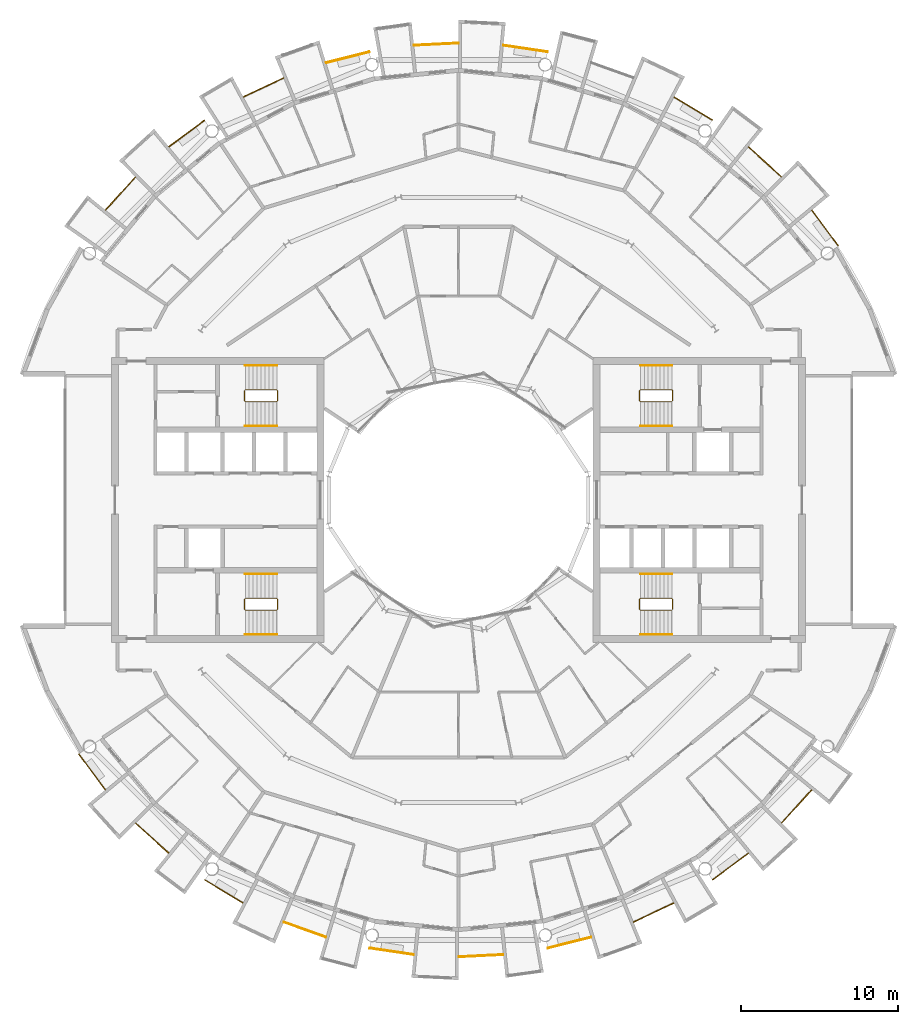
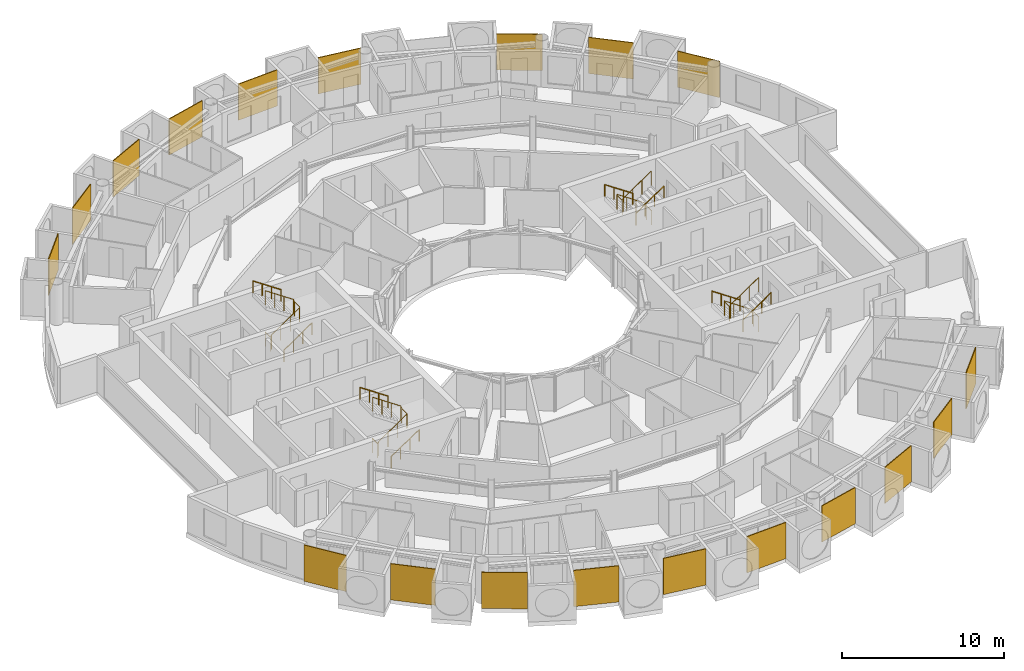
# One storey, part 27 of 28: 31 railings.
"""IFC4 building model written with IfcOpenShell, lengths in metres."""

from ifc_helpers import new_model, si_unit, direction, frame, origin, origin_2d, place, context, subcontext, project, spatial, polyline, circle, outline, extrude, material, layer, layer_set, type_object, element, save


model = new_model("IFC4")

# Units and contexts
model_context = context("Model", 3, precision=1e-05, world=origin(), true_north=direction((0.0, 1.0)))
body_context = subcontext(model_context, "Body", "Model", "MODEL_VIEW")
ifc_project = project(units=[si_unit("LENGTHUNIT", "METRE"), si_unit("AREAUNIT", "SQUARE_METRE"), si_unit("VOLUMEUNIT", "CUBIC_METRE"), si_unit("PLANEANGLEUNIT", "RADIAN"), si_unit("MASSUNIT", "GRAM", prefix="KILO")], contexts=[model_context])

# Site, building, storey
site_placement = place(None, origin())
site = spatial("IfcSite", under=ifc_project, at=site_placement, CompositionType="ELEMENT")
building_placement = place(site_placement, origin())
building = spatial("IfcBuilding", under=site, at=building_placement, Name="Maasbend Ring Residences", CompositionType="ELEMENT")
storey_placement = place(building_placement, frame((0.0, 0.0, 196.300048828125)))
storey = spatial("IfcBuildingStorey", under=building, at=storey_placement, Name="L56", CompositionType="ELEMENT", Elevation=196.300048828125)

# Railings
ifc_material_1 = material(Name="Pale anodised perforated aluminium", Category="aluminium")
ifc_layer = layer(ifc_material_1, 0.06005859375)
ifc_layer_set = layer_set([ifc_layer], Name="SCREEN-P")
railing_type_1 = type_object("IfcRailingType", Name="SCREEN-P", PredefinedType="GUARDRAIL", material=ifc_layer_set)
railing_1_placement = place(storey_placement, frame((0.0, 0.0, -0.030029296875)))
element("IfcRailing", 1, at=railing_1_placement, inside=storey, type_object=railing_type_1, Name="Perforated screen guard 1", PredefinedType="GUARDRAIL", context=body_context, shape_type="SweptSolid", body=[
    extrude(outline(polyline([(24.113037109375, 16.112060546875), (22.4169921875, 18.39697265625), (22.465087890625, 18.43310546875), (24.160888671875, 16.14697265625), (24.113037109375, 16.112060546875)])), origin(), (0.0, 0.0, 1.0), 2.72998046875),
])
railing_2_placement = place(storey_placement, frame((0.0, 0.0, -0.030029296875)))
element("IfcRailing", 2, at=railing_2_placement, inside=storey, type_object=railing_type_1, Name="Perforated screen guard 2", PredefinedType="GUARDRAIL", context=body_context, shape_type="SweptSolid", body=[
    extrude(outline(polyline([(20.506103515625, 20.506103515625), (18.39697265625, 22.4169921875), (18.43798828125, 22.4619140625), (20.5458984375, 20.551025390625), (20.506103515625, 20.506103515625)])), origin(), (0.0, 0.0, 1.0), 2.72998046875),
])
railing_3_placement = place(storey_placement, frame((0.0, 0.0, -0.030029296875)))
element("IfcRailing", 3, at=railing_3_placement, inside=storey, type_object=railing_type_1, Name="Perforated screen guard 3", PredefinedType="GUARDRAIL", context=body_context, shape_type="SweptSolid", body=[
    extrude(outline(polyline([(16.112060546875, 24.113037109375), (13.6708984375, 25.575927734375), (13.700927734375, 25.626953125), (16.14208984375, 24.1640625), (16.112060546875, 24.113037109375)])), origin(), (0.0, 0.0, 1.0), 2.72998046875),
])
railing_4_placement = place(storey_placement, frame((0.0, 0.0, -0.030029296875)))
element("IfcRailing", 4, at=railing_4_placement, inside=storey, type_object=railing_type_1, Name="Perforated screen guard 5", PredefinedType="GUARDRAIL", context=body_context, shape_type="SweptSolid", body=[
    extrude(outline(polyline([(5.657958984375, 28.443115234375), (2.842041015625, 28.860107421875), (2.85107421875, 28.919921875), (5.666015625, 28.501953125), (5.657958984375, 28.443115234375)])), origin(), (0.0, 0.0, 1.0), 2.72998046875),
])
railing_5_placement = place(storey_placement, frame((0.0, 0.0, -0.030029296875)))
element("IfcRailing", 5, at=railing_5_placement, inside=storey, type_object=railing_type_1, Name="Perforated screen guard 6", PredefinedType="GUARDRAIL", context=body_context, shape_type="SweptSolid", body=[
    extrude(outline(polyline([(0.0, 29.0), (-2.842041015625, 28.860107421875), (-2.844970703125, 28.919921875), (-0.0029296875, 29.06005859375), (0.0, 29.0)])), origin(), (0.0, 0.0, 1.0), 2.72998046875),
])
railing_6_placement = place(storey_placement, frame((0.0, 0.0, -0.030029296875)))
element("IfcRailing", 6, at=railing_6_placement, inside=storey, type_object=railing_type_1, Name="Perforated screen guard 7", PredefinedType="GUARDRAIL", context=body_context, shape_type="SweptSolid", body=[
    extrude(outline(polyline([(-5.657958984375, 28.443115234375), (-8.41796875, 27.7509765625), (-8.43310546875, 27.80908203125), (-5.672119140625, 28.5009765625), (-5.657958984375, 28.443115234375)])), origin(), (0.0, 0.0, 1.0), 2.72998046875),
])
railing_7_placement = place(storey_placement, frame((0.0, 0.0, -0.030029296875)))
element("IfcRailing", 7, at=railing_7_placement, inside=storey, type_object=railing_type_1, Name="Perforated screen guard 8", PredefinedType="GUARDRAIL", context=body_context, shape_type="SweptSolid", body=[
    extrude(outline(polyline([(-11.097900390625, 26.79296875), (-13.6708984375, 25.575927734375), (-13.696044921875, 25.6298828125), (-11.123046875, 26.846923828125), (-11.097900390625, 26.79296875)])), origin(), (0.0, 0.0, 1.0), 2.72998046875),
])
railing_8_placement = place(storey_placement, frame((0.0, 0.0, -0.030029296875)))
element("IfcRailing", 8, at=railing_8_placement, inside=storey, type_object=railing_type_1, Name="Perforated screen guard 9", PredefinedType="GUARDRAIL", context=body_context, shape_type="SweptSolid", body=[
    extrude(outline(polyline([(-16.112060546875, 24.113037109375), (-18.39697265625, 22.4169921875), (-18.43310546875, 22.465087890625), (-16.14697265625, 24.160888671875), (-16.112060546875, 24.113037109375)])), origin(), (0.0, 0.0, 1.0), 2.72998046875),
])
railing_9_placement = place(storey_placement, frame((0.0, 0.0, -0.030029296875)))
element("IfcRailing", 9, at=railing_9_placement, inside=storey, type_object=railing_type_1, Name="Perforated screen guard 10", PredefinedType="GUARDRAIL", context=body_context, shape_type="SweptSolid", body=[
    extrude(outline(polyline([(-20.506103515625, 20.506103515625), (-22.4169921875, 18.39697265625), (-22.4619140625, 18.43798828125), (-20.551025390625, 20.5458984375), (-20.506103515625, 20.506103515625)])), origin(), (0.0, 0.0, 1.0), 2.72998046875),
])
railing_10_placement = place(storey_placement, frame((0.0, 0.0, -0.030029296875)))
element("IfcRailing", 10, at=railing_10_placement, inside=storey, type_object=railing_type_1, Name="Perforated screen guard 1", PredefinedType="GUARDRAIL", context=body_context, shape_type="SweptSolid", body=[
    extrude(outline(polyline([(-24.113037109375, -16.112060546875), (-22.4169921875, -18.39697265625), (-22.465087890625, -18.43310546875), (-24.160888671875, -16.14697265625), (-24.113037109375, -16.112060546875)])), origin(), (0.0, 0.0, 1.0), 2.72998046875),
])
railing_11_placement = place(storey_placement, frame((0.0, 0.0, -0.030029296875)))
element("IfcRailing", 11, at=railing_11_placement, inside=storey, type_object=railing_type_1, Name="Perforated screen guard 2", PredefinedType="GUARDRAIL", context=body_context, shape_type="SweptSolid", body=[
    extrude(outline(polyline([(-20.506103515625, -20.506103515625), (-18.39697265625, -22.4169921875), (-18.43798828125, -22.4619140625), (-20.5458984375, -20.551025390625), (-20.506103515625, -20.506103515625)])), origin(), (0.0, 0.0, 1.0), 2.72998046875),
])
railing_12_placement = place(storey_placement, frame((0.0, 0.0, -0.030029296875)))
element("IfcRailing", 12, at=railing_12_placement, inside=storey, type_object=railing_type_1, Name="Perforated screen guard 3", PredefinedType="GUARDRAIL", context=body_context, shape_type="SweptSolid", body=[
    extrude(outline(polyline([(-16.112060546875, -24.113037109375), (-13.6708984375, -25.575927734375), (-13.700927734375, -25.626953125), (-16.14208984375, -24.1640625), (-16.112060546875, -24.113037109375)])), origin(), (0.0, 0.0, 1.0), 2.72998046875),
])
railing_13_placement = place(storey_placement, frame((0.0, 0.0, -0.030029296875)))
element("IfcRailing", 13, at=railing_13_placement, inside=storey, type_object=railing_type_1, Name="Perforated screen guard 4", PredefinedType="GUARDRAIL", context=body_context, shape_type="SweptSolid", body=[
    extrude(outline(polyline([(-11.097900390625, -26.79296875), (-8.41796875, -27.7509765625), (-8.43798828125, -27.80810546875), (-11.117919921875, -26.84912109375), (-11.097900390625, -26.79296875)])), origin(), (0.0, 0.0, 1.0), 2.72998046875),
])
railing_14_placement = place(storey_placement, frame((0.0, 0.0, -0.030029296875)))
element("IfcRailing", 14, at=railing_14_placement, inside=storey, type_object=railing_type_1, Name="Perforated screen guard 5", PredefinedType="GUARDRAIL", context=body_context, shape_type="SweptSolid", body=[
    extrude(outline(polyline([(-5.657958984375, -28.443115234375), (-2.842041015625, -28.860107421875), (-2.85107421875, -28.919921875), (-5.666015625, -28.501953125), (-5.657958984375, -28.443115234375)])), origin(), (0.0, 0.0, 1.0), 2.72998046875),
])
railing_15_placement = place(storey_placement, frame((0.0, 0.0, -0.030029296875)))
element("IfcRailing", 15, at=railing_15_placement, inside=storey, type_object=railing_type_1, Name="Perforated screen guard 6", PredefinedType="GUARDRAIL", context=body_context, shape_type="SweptSolid", body=[
    extrude(outline(polyline([(0.0, -29.0), (2.842041015625, -28.860107421875), (2.844970703125, -28.919921875), (0.0029296875, -29.06005859375), (0.0, -29.0)])), origin(), (0.0, 0.0, 1.0), 2.72998046875),
])
railing_16_placement = place(storey_placement, frame((0.0, 0.0, -0.030029296875)))
element("IfcRailing", 16, at=railing_16_placement, inside=storey, type_object=railing_type_1, Name="Perforated screen guard 7", PredefinedType="GUARDRAIL", context=body_context, shape_type="SweptSolid", body=[
    extrude(outline(polyline([(5.657958984375, -28.443115234375), (8.41796875, -27.7509765625), (8.43310546875, -27.80908203125), (5.672119140625, -28.5009765625), (5.657958984375, -28.443115234375)])), origin(), (0.0, 0.0, 1.0), 2.72998046875),
])
railing_17_placement = place(storey_placement, frame((0.0, 0.0, -0.030029296875)))
element("IfcRailing", 17, at=railing_17_placement, inside=storey, type_object=railing_type_1, Name="Perforated screen guard 8", PredefinedType="GUARDRAIL", context=body_context, shape_type="SweptSolid", body=[
    extrude(outline(polyline([(11.097900390625, -26.79296875), (13.6708984375, -25.575927734375), (13.696044921875, -25.6298828125), (11.123046875, -26.846923828125), (11.097900390625, -26.79296875)])), origin(), (0.0, 0.0, 1.0), 2.72998046875),
])
railing_18_placement = place(storey_placement, frame((0.0, 0.0, -0.030029296875)))
element("IfcRailing", 18, at=railing_18_placement, inside=storey, type_object=railing_type_1, Name="Perforated screen guard 9", PredefinedType="GUARDRAIL", context=body_context, shape_type="SweptSolid", body=[
    extrude(outline(polyline([(16.112060546875, -24.113037109375), (18.39697265625, -22.4169921875), (18.43310546875, -22.465087890625), (16.14697265625, -24.160888671875), (16.112060546875, -24.113037109375)])), origin(), (0.0, 0.0, 1.0), 2.72998046875),
])
railing_19_placement = place(storey_placement, frame((0.0, 0.0, -0.030029296875)))
element("IfcRailing", 19, at=railing_19_placement, inside=storey, type_object=railing_type_1, Name="Perforated screen guard 10", PredefinedType="GUARDRAIL", context=body_context, shape_type="SweptSolid", body=[
    extrude(outline(polyline([(20.506103515625, -20.506103515625), (22.4169921875, -18.39697265625), (22.4619140625, -18.43798828125), (20.551025390625, -20.5458984375), (20.506103515625, -20.506103515625)])), origin(), (0.0, 0.0, 1.0), 2.72998046875),
])
ifc_material_2 = material(Name="Stainless steel 316", Category="steel")
railing_type_2 = type_object("IfcRailingType", Name="STAIR GUARD 1100", PredefinedType="GUARDRAIL", material=ifc_material_2)
railing_20_placement = place(storey_placement, frame((13.60009765625, 6.300048828125, 0.0)))
element("IfcRailing", 20, at=railing_20_placement, inside=storey, type_object=railing_type_2, Name="L56 ST-E1 stair guard 1", PredefinedType="GUARDRAIL", context=body_context, shape_type="SweptSolid", body=[
    extrude(circle(Radius=0.02392578125, at=origin_2d()), frame((0.0, 0.0, 1.076171875), z_axis=(0.0, 1.0, 0.0), x_axis=(-1.0, 0.0, 0.0)), (0.0, 0.0, 1.0), 0.64990234375),
    extrude(circle(Radius=0.02392578125, at=origin_2d()), frame((0.0, 0.64990234375, 1.076171875), z_axis=(-0.272562526181, 0.272562526181, 0.92272386912), x_axis=(-0.707106781187, -0.707106781187, 0.0)), (0.0, 0.0, 1.0), 0.18359375),
    extrude(circle(Radius=0.02392578125, at=origin_2d()), frame((-0.050048828125, 0.699951171875, 1.24560546875), z_axis=(-0.827797584762, 0.0, 0.561026878735), x_axis=(0.0, -1.0, 0.0)), (0.0, 0.0, 1.0), 2.416015625),
    extrude(circle(Radius=0.02392578125, at=origin_2d()), frame((-2.050048828125, 0.699951171875, 2.60107421875), z_axis=(-0.707106781187, -0.707106781187, 0.0), x_axis=(0.707106781187, -0.707106781187, 0.0)), (0.0, 0.0, 1.0), 0.07080078125),
    extrude(circle(Radius=0.02392578125, at=origin_2d()), frame((-2.10009765625, 0.64990234375, 2.60107421875), z_axis=(0.0, -1.0, 0.0), x_axis=(1.0, 0.0, 0.0)), (0.0, 0.0, 1.0), 0.64990234375),
    extrude(circle(Radius=0.02392578125, at=origin_2d()), frame((-2.10009765625, 0.0, 2.60107421875), z_axis=(0.272562526181, -0.272562526181, 0.92272386912), x_axis=(0.707106781187, 0.707106781187, 0.0)), (0.0, 0.0, 1.0), 0.18359375),
    extrude(circle(Radius=0.02392578125, at=origin_2d()), frame((-2.050048828125, -0.050048828125, 2.7705078125), z_axis=(0.827750655447, 0.0, 0.561096116906), x_axis=(0.0, 1.0, 0.0)), (0.0, 0.0, 1.0), 2.416259765625),
    extrude(circle(Radius=0.02099609375, at=origin_2d()), origin(), (0.0, 0.0, 1.0), 1.052001953125),
    extrude(circle(Radius=0.02099609375, at=origin_2d()), frame((0.0, 0.64990234375, 0.0)), (0.0, 0.0, 1.0), 1.052001953125),
    extrude(circle(Radius=0.02099609375, at=origin_2d()), frame((-0.050048828125, 0.699951171875, 0.16943359375)), (0.0, 0.0, 1.0), 1.052001953125),
    extrude(circle(Radius=0.02099609375, at=origin_2d()), frame((-0.716796875, 0.699951171875, 0.621337890625)), (0.0, 0.0, 1.0), 1.052001953125),
    extrude(circle(Radius=0.02099609375, at=origin_2d()), frame((-1.38330078125, 0.699951171875, 1.072998046875)), (0.0, 0.0, 1.0), 1.052001953125),
    extrude(circle(Radius=0.02099609375, at=origin_2d()), frame((-2.050048828125, 0.699951171875, 1.52490234375)), (0.0, 0.0, 1.0), 1.052001953125),
    extrude(circle(Radius=0.02099609375, at=origin_2d()), frame((-2.10009765625, 0.64990234375, 1.52490234375)), (0.0, 0.0, 1.0), 1.052001953125),
    extrude(circle(Radius=0.02099609375, at=origin_2d()), frame((-2.10009765625, 0.0, 1.52490234375)), (0.0, 0.0, 1.0), 1.052001953125),
    extrude(circle(Radius=0.02099609375, at=origin_2d()), frame((-2.050048828125, -0.050048828125, 1.6943359375)), (0.0, 0.0, 1.0), 1.052001953125),
    extrude(circle(Radius=0.02099609375, at=origin_2d()), frame((-1.38330078125, -0.050048828125, 2.146240234375)), (0.0, 0.0, 1.0), 1.052001953125),
    extrude(circle(Radius=0.02099609375, at=origin_2d()), frame((-0.716796875, -0.050048828125, 2.59814453125)), (0.0, 0.0, 1.0), 1.052001953125),
    extrude(circle(Radius=0.02099609375, at=origin_2d()), frame((-0.050048828125, -0.050048828125, 3.050048828125)), (0.0, 0.0, 1.0), 1.052001953125),
])
railing_21_placement = place(storey_placement, frame((13.60009765625, -6.949951171875, 0.0)))
element("IfcRailing", 21, at=railing_21_placement, inside=storey, type_object=railing_type_2, Name="L56 ST-E2 stair guard 1", PredefinedType="GUARDRAIL", context=body_context, shape_type="SweptSolid", body=[
    extrude(circle(Radius=0.02392578125, at=origin_2d()), frame((0.0, 0.0, 1.076171875), z_axis=(0.0, 1.0, 0.0), x_axis=(-1.0, 0.0, 0.0)), (0.0, 0.0, 1.0), 0.64990234375),
    extrude(circle(Radius=0.02392578125, at=origin_2d()), frame((0.0, 0.64990234375, 1.076171875), z_axis=(-0.272562526181, 0.272562526181, 0.92272386912), x_axis=(-0.707106781187, -0.707106781187, 0.0)), (0.0, 0.0, 1.0), 0.18359375),
    extrude(circle(Radius=0.02392578125, at=origin_2d()), frame((-0.050048828125, 0.699951171875, 1.24560546875), z_axis=(-0.827797584762, 0.0, 0.561026878735), x_axis=(0.0, -1.0, 0.0)), (0.0, 0.0, 1.0), 2.416015625),
    extrude(circle(Radius=0.02392578125, at=origin_2d()), frame((-2.050048828125, 0.699951171875, 2.60107421875), z_axis=(-0.707106781187, -0.707106781187, 0.0), x_axis=(0.707106781187, -0.707106781187, 0.0)), (0.0, 0.0, 1.0), 0.07080078125),
    extrude(circle(Radius=0.02392578125, at=origin_2d()), frame((-2.10009765625, 0.64990234375, 2.60107421875), z_axis=(0.0, -1.0, 0.0), x_axis=(1.0, 0.0, 0.0)), (0.0, 0.0, 1.0), 0.64990234375),
    extrude(circle(Radius=0.02392578125, at=origin_2d()), frame((-2.10009765625, 0.0, 2.60107421875), z_axis=(0.272562526181, -0.272562526181, 0.92272386912), x_axis=(0.707106781187, 0.707106781187, 0.0)), (0.0, 0.0, 1.0), 0.18359375),
    extrude(circle(Radius=0.02392578125, at=origin_2d()), frame((-2.050048828125, -0.050048828125, 2.7705078125), z_axis=(0.827750655447, 0.0, 0.561096116906), x_axis=(0.0, 1.0, 0.0)), (0.0, 0.0, 1.0), 2.416259765625),
    extrude(circle(Radius=0.02099609375, at=origin_2d()), origin(), (0.0, 0.0, 1.0), 1.052001953125),
    extrude(circle(Radius=0.02099609375, at=origin_2d()), frame((0.0, 0.64990234375, 0.0)), (0.0, 0.0, 1.0), 1.052001953125),
    extrude(circle(Radius=0.02099609375, at=origin_2d()), frame((-0.050048828125, 0.699951171875, 0.16943359375)), (0.0, 0.0, 1.0), 1.052001953125),
    extrude(circle(Radius=0.02099609375, at=origin_2d()), frame((-0.716796875, 0.699951171875, 0.621337890625)), (0.0, 0.0, 1.0), 1.052001953125),
    extrude(circle(Radius=0.02099609375, at=origin_2d()), frame((-1.38330078125, 0.699951171875, 1.072998046875)), (0.0, 0.0, 1.0), 1.052001953125),
    extrude(circle(Radius=0.02099609375, at=origin_2d()), frame((-2.050048828125, 0.699951171875, 1.52490234375)), (0.0, 0.0, 1.0), 1.052001953125),
    extrude(circle(Radius=0.02099609375, at=origin_2d()), frame((-2.10009765625, 0.64990234375, 1.52490234375)), (0.0, 0.0, 1.0), 1.052001953125),
    extrude(circle(Radius=0.02099609375, at=origin_2d()), frame((-2.10009765625, 0.0, 1.52490234375)), (0.0, 0.0, 1.0), 1.052001953125),
    extrude(circle(Radius=0.02099609375, at=origin_2d()), frame((-2.050048828125, -0.050048828125, 1.6943359375)), (0.0, 0.0, 1.0), 1.052001953125),
    extrude(circle(Radius=0.02099609375, at=origin_2d()), frame((-1.38330078125, -0.050048828125, 2.146240234375)), (0.0, 0.0, 1.0), 1.052001953125),
    extrude(circle(Radius=0.02099609375, at=origin_2d()), frame((-0.716796875, -0.050048828125, 2.59814453125)), (0.0, 0.0, 1.0), 1.052001953125),
    extrude(circle(Radius=0.02099609375, at=origin_2d()), frame((-0.050048828125, -0.050048828125, 3.050048828125)), (0.0, 0.0, 1.0), 1.052001953125),
])
railing_22_placement = place(storey_placement, frame((-13.60009765625, -6.300048828125, 0.0)))
element("IfcRailing", 22, at=railing_22_placement, inside=storey, type_object=railing_type_2, Name="L56 ST-W1 stair guard 1", PredefinedType="GUARDRAIL", context=body_context, shape_type="SweptSolid", body=[
    extrude(circle(Radius=0.02392578125, at=origin_2d()), frame((0.0, 0.0, 1.076171875), z_axis=(0.0, -1.0, 0.0), x_axis=(1.0, 0.0, 0.0)), (0.0, 0.0, 1.0), 0.64990234375),
    extrude(circle(Radius=0.02392578125, at=origin_2d()), frame((0.0, -0.64990234375, 1.076171875), z_axis=(0.272562526181, -0.272562526181, 0.92272386912), x_axis=(0.707106781187, 0.707106781187, 0.0)), (0.0, 0.0, 1.0), 0.18359375),
    extrude(circle(Radius=0.02392578125, at=origin_2d()), frame((0.050048828125, -0.699951171875, 1.24560546875), z_axis=(0.827797584762, 0.0, 0.561026878735), x_axis=(0.0, 1.0, 0.0)), (0.0, 0.0, 1.0), 2.416015625),
    extrude(circle(Radius=0.02392578125, at=origin_2d()), frame((2.050048828125, -0.699951171875, 2.60107421875), z_axis=(0.707106781187, 0.707106781187, 0.0), x_axis=(-0.707106781187, 0.707106781187, 0.0)), (0.0, 0.0, 1.0), 0.07080078125),
    extrude(circle(Radius=0.02392578125, at=origin_2d()), frame((2.10009765625, -0.64990234375, 2.60107421875), z_axis=(0.0, 1.0, 0.0), x_axis=(-1.0, 0.0, 0.0)), (0.0, 0.0, 1.0), 0.64990234375),
    extrude(circle(Radius=0.02392578125, at=origin_2d()), frame((2.10009765625, 0.0, 2.60107421875), z_axis=(-0.272562526181, 0.272562526181, 0.92272386912), x_axis=(-0.707106781187, -0.707106781187, 0.0)), (0.0, 0.0, 1.0), 0.18359375),
    extrude(circle(Radius=0.02392578125, at=origin_2d()), frame((2.050048828125, 0.050048828125, 2.7705078125), z_axis=(-0.827750655447, 0.0, 0.561096116906), x_axis=(0.0, -1.0, 0.0)), (0.0, 0.0, 1.0), 2.416259765625),
    extrude(circle(Radius=0.02099609375, at=origin_2d()), origin(), (0.0, 0.0, 1.0), 1.052001953125),
    extrude(circle(Radius=0.02099609375, at=origin_2d()), frame((0.0, -0.64990234375, 0.0)), (0.0, 0.0, 1.0), 1.052001953125),
    extrude(circle(Radius=0.02099609375, at=origin_2d()), frame((0.050048828125, -0.699951171875, 0.16943359375)), (0.0, 0.0, 1.0), 1.052001953125),
    extrude(circle(Radius=0.02099609375, at=origin_2d()), frame((0.716796875, -0.699951171875, 0.621337890625)), (0.0, 0.0, 1.0), 1.052001953125),
    extrude(circle(Radius=0.02099609375, at=origin_2d()), frame((1.38330078125, -0.699951171875, 1.072998046875)), (0.0, 0.0, 1.0), 1.052001953125),
    extrude(circle(Radius=0.02099609375, at=origin_2d()), frame((2.050048828125, -0.699951171875, 1.52490234375)), (0.0, 0.0, 1.0), 1.052001953125),
    extrude(circle(Radius=0.02099609375, at=origin_2d()), frame((2.10009765625, -0.64990234375, 1.52490234375)), (0.0, 0.0, 1.0), 1.052001953125),
    extrude(circle(Radius=0.02099609375, at=origin_2d()), frame((2.10009765625, 0.0, 1.52490234375)), (0.0, 0.0, 1.0), 1.052001953125),
    extrude(circle(Radius=0.02099609375, at=origin_2d()), frame((2.050048828125, 0.050048828125, 1.6943359375)), (0.0, 0.0, 1.0), 1.052001953125),
    extrude(circle(Radius=0.02099609375, at=origin_2d()), frame((1.38330078125, 0.050048828125, 2.146240234375)), (0.0, 0.0, 1.0), 1.052001953125),
    extrude(circle(Radius=0.02099609375, at=origin_2d()), frame((0.716796875, 0.050048828125, 2.59814453125)), (0.0, 0.0, 1.0), 1.052001953125),
    extrude(circle(Radius=0.02099609375, at=origin_2d()), frame((0.050048828125, 0.050048828125, 3.050048828125)), (0.0, 0.0, 1.0), 1.052001953125),
])
railing_23_placement = place(storey_placement, frame((-13.60009765625, 6.949951171875, 0.0)))
element("IfcRailing", 23, at=railing_23_placement, inside=storey, type_object=railing_type_2, Name="L56 ST-W2 stair guard 1", PredefinedType="GUARDRAIL", context=body_context, shape_type="SweptSolid", body=[
    extrude(circle(Radius=0.02392578125, at=origin_2d()), frame((0.0, 0.0, 1.076171875), z_axis=(0.0, -1.0, 0.0), x_axis=(1.0, 0.0, 0.0)), (0.0, 0.0, 1.0), 0.64990234375),
    extrude(circle(Radius=0.02392578125, at=origin_2d()), frame((0.0, -0.64990234375, 1.076171875), z_axis=(0.272562526181, -0.272562526181, 0.92272386912), x_axis=(0.707106781187, 0.707106781187, 0.0)), (0.0, 0.0, 1.0), 0.18359375),
    extrude(circle(Radius=0.02392578125, at=origin_2d()), frame((0.050048828125, -0.699951171875, 1.24560546875), z_axis=(0.827797584762, 0.0, 0.561026878735), x_axis=(0.0, 1.0, 0.0)), (0.0, 0.0, 1.0), 2.416015625),
    extrude(circle(Radius=0.02392578125, at=origin_2d()), frame((2.050048828125, -0.699951171875, 2.60107421875), z_axis=(0.707106781187, 0.707106781187, 0.0), x_axis=(-0.707106781187, 0.707106781187, 0.0)), (0.0, 0.0, 1.0), 0.07080078125),
    extrude(circle(Radius=0.02392578125, at=origin_2d()), frame((2.10009765625, -0.64990234375, 2.60107421875), z_axis=(0.0, 1.0, 0.0), x_axis=(-1.0, 0.0, 0.0)), (0.0, 0.0, 1.0), 0.64990234375),
    extrude(circle(Radius=0.02392578125, at=origin_2d()), frame((2.10009765625, 0.0, 2.60107421875), z_axis=(-0.272562526181, 0.272562526181, 0.92272386912), x_axis=(-0.707106781187, -0.707106781187, 0.0)), (0.0, 0.0, 1.0), 0.18359375),
    extrude(circle(Radius=0.02392578125, at=origin_2d()), frame((2.050048828125, 0.050048828125, 2.7705078125), z_axis=(-0.827750655447, 0.0, 0.561096116906), x_axis=(0.0, -1.0, 0.0)), (0.0, 0.0, 1.0), 2.416259765625),
    extrude(circle(Radius=0.02099609375, at=origin_2d()), origin(), (0.0, 0.0, 1.0), 1.052001953125),
    extrude(circle(Radius=0.02099609375, at=origin_2d()), frame((0.0, -0.64990234375, 0.0)), (0.0, 0.0, 1.0), 1.052001953125),
    extrude(circle(Radius=0.02099609375, at=origin_2d()), frame((0.050048828125, -0.699951171875, 0.16943359375)), (0.0, 0.0, 1.0), 1.052001953125),
    extrude(circle(Radius=0.02099609375, at=origin_2d()), frame((0.716796875, -0.699951171875, 0.621337890625)), (0.0, 0.0, 1.0), 1.052001953125),
    extrude(circle(Radius=0.02099609375, at=origin_2d()), frame((1.38330078125, -0.699951171875, 1.072998046875)), (0.0, 0.0, 1.0), 1.052001953125),
    extrude(circle(Radius=0.02099609375, at=origin_2d()), frame((2.050048828125, -0.699951171875, 1.52490234375)), (0.0, 0.0, 1.0), 1.052001953125),
    extrude(circle(Radius=0.02099609375, at=origin_2d()), frame((2.10009765625, -0.64990234375, 1.52490234375)), (0.0, 0.0, 1.0), 1.052001953125),
    extrude(circle(Radius=0.02099609375, at=origin_2d()), frame((2.10009765625, 0.0, 1.52490234375)), (0.0, 0.0, 1.0), 1.052001953125),
    extrude(circle(Radius=0.02099609375, at=origin_2d()), frame((2.050048828125, 0.050048828125, 1.6943359375)), (0.0, 0.0, 1.0), 1.052001953125),
    extrude(circle(Radius=0.02099609375, at=origin_2d()), frame((1.38330078125, 0.050048828125, 2.146240234375)), (0.0, 0.0, 1.0), 1.052001953125),
    extrude(circle(Radius=0.02099609375, at=origin_2d()), frame((0.716796875, 0.050048828125, 2.59814453125)), (0.0, 0.0, 1.0), 1.052001953125),
    extrude(circle(Radius=0.02099609375, at=origin_2d()), frame((0.050048828125, 0.050048828125, 3.050048828125)), (0.0, 0.0, 1.0), 1.052001953125),
])
ifc_material_3 = material(Name="Stainless steel 316", Category="steel")
railing_type_3 = type_object("IfcRailingType", Name="STAIR HANDRAIL 900", PredefinedType="HANDRAIL", material=ifc_material_3)
railing_24_placement = place(storey_placement, frame((13.550048828125, 8.550048828125, 0.16943359375)))
element("IfcRailing", 24, at=railing_24_placement, inside=storey, type_object=railing_type_3, Name="L56 ST-E1 stair handrail 1", PredefinedType="HANDRAIL", context=body_context, shape_type="SweptSolid", body=[
    extrude(circle(Radius=0.02392578125, at=origin_2d()), frame((0.0, 0.0, 0.8759765625), z_axis=(-0.827797584762, 0.0, 0.561026878735), x_axis=(0.0, -1.0, 0.0)), (0.0, 0.0, 1.0), 2.416015625),
    extrude(circle(Radius=0.02099609375, at=origin_2d()), origin(), (0.0, 0.0, 1.0), 0.851806640625),
    extrude(circle(Radius=0.02099609375, at=origin_2d()), frame((-0.666748046875, 0.0, 0.451904296875)), (0.0, 0.0, 1.0), 0.851806640625),
    extrude(circle(Radius=0.02099609375, at=origin_2d()), frame((-1.333251953125, 0.0, 0.903564453125)), (0.0, 0.0, 1.0), 0.851806640625),
    extrude(circle(Radius=0.02099609375, at=origin_2d()), frame((-2.0, 0.0, 1.35546875)), (0.0, 0.0, 1.0), 0.851806640625),
])
railing_25_placement = place(storey_placement, frame((11.550048828125, 4.699951171875, 1.6943359375)))
element("IfcRailing", 25, at=railing_25_placement, inside=storey, type_object=railing_type_3, Name="L56 ST-E1 stair handrail 2", PredefinedType="HANDRAIL", context=body_context, shape_type="SweptSolid", body=[
    extrude(circle(Radius=0.02392578125, at=origin_2d()), frame((0.0, 0.0, 0.8759765625), z_axis=(0.827750655447, 0.0, 0.561096116906), x_axis=(0.0, 1.0, 0.0)), (0.0, 0.0, 1.0), 2.416259765625),
    extrude(circle(Radius=0.02099609375, at=origin_2d()), origin(), (0.0, 0.0, 1.0), 0.851806640625),
    extrude(circle(Radius=0.02099609375, at=origin_2d()), frame((0.666748046875, 0.0, 0.451904296875)), (0.0, 0.0, 1.0), 0.851806640625),
    extrude(circle(Radius=0.02099609375, at=origin_2d()), frame((1.333251953125, 0.0, 0.90380859375)), (0.0, 0.0, 1.0), 0.851806640625),
    extrude(circle(Radius=0.02099609375, at=origin_2d()), frame((2.0, 0.0, 1.355712890625)), (0.0, 0.0, 1.0), 0.851806640625),
])
railing_26_placement = place(storey_placement, frame((13.550048828125, -4.699951171875, 0.16943359375)))
element("IfcRailing", 26, at=railing_26_placement, inside=storey, type_object=railing_type_3, Name="L56 ST-E2 stair handrail 1", PredefinedType="HANDRAIL", context=body_context, shape_type="SweptSolid", body=[
    extrude(circle(Radius=0.02392578125, at=origin_2d()), frame((0.0, 0.0, 0.8759765625), z_axis=(-0.827797584762, 0.0, 0.561026878735), x_axis=(0.0, -1.0, 0.0)), (0.0, 0.0, 1.0), 2.416015625),
    extrude(circle(Radius=0.02099609375, at=origin_2d()), origin(), (0.0, 0.0, 1.0), 0.851806640625),
    extrude(circle(Radius=0.02099609375, at=origin_2d()), frame((-0.666748046875, 0.0, 0.451904296875)), (0.0, 0.0, 1.0), 0.851806640625),
    extrude(circle(Radius=0.02099609375, at=origin_2d()), frame((-1.333251953125, 0.0, 0.903564453125)), (0.0, 0.0, 1.0), 0.851806640625),
    extrude(circle(Radius=0.02099609375, at=origin_2d()), frame((-2.0, 0.0, 1.35546875)), (0.0, 0.0, 1.0), 0.851806640625),
])
railing_27_placement = place(storey_placement, frame((11.550048828125, -8.550048828125, 1.6943359375)))
element("IfcRailing", 27, at=railing_27_placement, inside=storey, type_object=railing_type_3, Name="L56 ST-E2 stair handrail 2", PredefinedType="HANDRAIL", context=body_context, shape_type="SweptSolid", body=[
    extrude(circle(Radius=0.02392578125, at=origin_2d()), frame((0.0, 0.0, 0.8759765625), z_axis=(0.827750655447, 0.0, 0.561096116906), x_axis=(0.0, 1.0, 0.0)), (0.0, 0.0, 1.0), 2.416259765625),
    extrude(circle(Radius=0.02099609375, at=origin_2d()), origin(), (0.0, 0.0, 1.0), 0.851806640625),
    extrude(circle(Radius=0.02099609375, at=origin_2d()), frame((0.666748046875, 0.0, 0.451904296875)), (0.0, 0.0, 1.0), 0.851806640625),
    extrude(circle(Radius=0.02099609375, at=origin_2d()), frame((1.333251953125, 0.0, 0.90380859375)), (0.0, 0.0, 1.0), 0.851806640625),
    extrude(circle(Radius=0.02099609375, at=origin_2d()), frame((2.0, 0.0, 1.355712890625)), (0.0, 0.0, 1.0), 0.851806640625),
])
railing_28_placement = place(storey_placement, frame((-13.550048828125, -8.550048828125, 0.16943359375)))
element("IfcRailing", 28, at=railing_28_placement, inside=storey, type_object=railing_type_3, Name="L56 ST-W1 stair handrail 1", PredefinedType="HANDRAIL", context=body_context, shape_type="SweptSolid", body=[
    extrude(circle(Radius=0.02392578125, at=origin_2d()), frame((0.0, 0.0, 0.8759765625), z_axis=(0.827797584762, 0.0, 0.561026878735), x_axis=(0.0, 1.0, 0.0)), (0.0, 0.0, 1.0), 2.416015625),
    extrude(circle(Radius=0.02099609375, at=origin_2d()), origin(), (0.0, 0.0, 1.0), 0.851806640625),
    extrude(circle(Radius=0.02099609375, at=origin_2d()), frame((0.666748046875, 0.0, 0.451904296875)), (0.0, 0.0, 1.0), 0.851806640625),
    extrude(circle(Radius=0.02099609375, at=origin_2d()), frame((1.333251953125, 0.0, 0.903564453125)), (0.0, 0.0, 1.0), 0.851806640625),
    extrude(circle(Radius=0.02099609375, at=origin_2d()), frame((2.0, 0.0, 1.35546875)), (0.0, 0.0, 1.0), 0.851806640625),
])
railing_29_placement = place(storey_placement, frame((-11.550048828125, -4.699951171875, 1.6943359375)))
element("IfcRailing", 29, at=railing_29_placement, inside=storey, type_object=railing_type_3, Name="L56 ST-W1 stair handrail 2", PredefinedType="HANDRAIL", context=body_context, shape_type="SweptSolid", body=[
    extrude(circle(Radius=0.02392578125, at=origin_2d()), frame((0.0, 0.0, 0.8759765625), z_axis=(-0.827750655447, 0.0, 0.561096116906), x_axis=(0.0, -1.0, 0.0)), (0.0, 0.0, 1.0), 2.416259765625),
    extrude(circle(Radius=0.02099609375, at=origin_2d()), origin(), (0.0, 0.0, 1.0), 0.851806640625),
    extrude(circle(Radius=0.02099609375, at=origin_2d()), frame((-0.666748046875, 0.0, 0.451904296875)), (0.0, 0.0, 1.0), 0.851806640625),
    extrude(circle(Radius=0.02099609375, at=origin_2d()), frame((-1.333251953125, 0.0, 0.90380859375)), (0.0, 0.0, 1.0), 0.851806640625),
    extrude(circle(Radius=0.02099609375, at=origin_2d()), frame((-2.0, 0.0, 1.355712890625)), (0.0, 0.0, 1.0), 0.851806640625),
])
railing_30_placement = place(storey_placement, frame((-13.550048828125, 4.699951171875, 0.16943359375)))
element("IfcRailing", 30, at=railing_30_placement, inside=storey, type_object=railing_type_3, Name="L56 ST-W2 stair handrail 1", PredefinedType="HANDRAIL", context=body_context, shape_type="SweptSolid", body=[
    extrude(circle(Radius=0.02392578125, at=origin_2d()), frame((0.0, 0.0, 0.8759765625), z_axis=(0.827797584762, 0.0, 0.561026878735), x_axis=(0.0, 1.0, 0.0)), (0.0, 0.0, 1.0), 2.416015625),
    extrude(circle(Radius=0.02099609375, at=origin_2d()), origin(), (0.0, 0.0, 1.0), 0.851806640625),
    extrude(circle(Radius=0.02099609375, at=origin_2d()), frame((0.666748046875, 0.0, 0.451904296875)), (0.0, 0.0, 1.0), 0.851806640625),
    extrude(circle(Radius=0.02099609375, at=origin_2d()), frame((1.333251953125, 0.0, 0.903564453125)), (0.0, 0.0, 1.0), 0.851806640625),
    extrude(circle(Radius=0.02099609375, at=origin_2d()), frame((2.0, 0.0, 1.35546875)), (0.0, 0.0, 1.0), 0.851806640625),
])
railing_31_placement = place(storey_placement, frame((-11.550048828125, 8.550048828125, 1.6943359375)))
element("IfcRailing", 31, at=railing_31_placement, inside=storey, type_object=railing_type_3, Name="L56 ST-W2 stair handrail 2", PredefinedType="HANDRAIL", context=body_context, shape_type="SweptSolid", body=[
    extrude(circle(Radius=0.02392578125, at=origin_2d()), frame((0.0, 0.0, 0.8759765625), z_axis=(-0.827750655447, 0.0, 0.561096116906), x_axis=(0.0, -1.0, 0.0)), (0.0, 0.0, 1.0), 2.416259765625),
    extrude(circle(Radius=0.02099609375, at=origin_2d()), origin(), (0.0, 0.0, 1.0), 0.851806640625),
    extrude(circle(Radius=0.02099609375, at=origin_2d()), frame((-0.666748046875, 0.0, 0.451904296875)), (0.0, 0.0, 1.0), 0.851806640625),
    extrude(circle(Radius=0.02099609375, at=origin_2d()), frame((-1.333251953125, 0.0, 0.90380859375)), (0.0, 0.0, 1.0), 0.851806640625),
    extrude(circle(Radius=0.02099609375, at=origin_2d()), frame((-2.0, 0.0, 1.355712890625)), (0.0, 0.0, 1.0), 0.851806640625),
])

save(model, "model.ifc")
